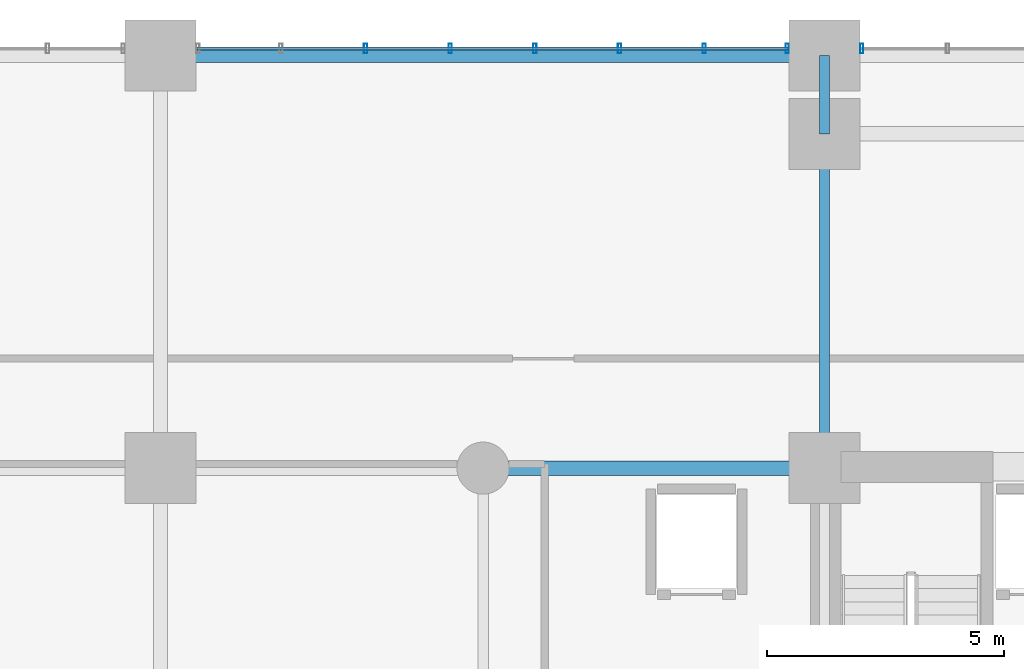
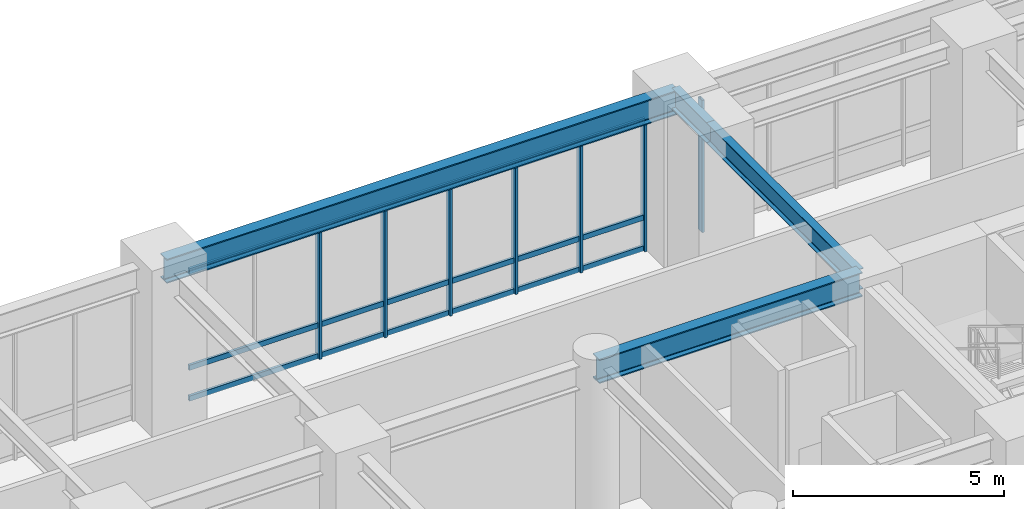
# One storey, part 3 of 22: 10 members, 4 beams, 2 elements without a shape of their own.
"""IFC4 building model written with IfcOpenShell, lengths in metres."""

from ifc_helpers import new_model, si_unit, direction, frame, origin, origin_2d, place, context, subcontext, project, spatial, hollow_rectangle, i_section, extrude, source, transform, mapped, material, layer, layer_set, material_profile, profile_set, type_object, element, aggregate, save


model = new_model("IFC4")

# Units and contexts
model_context = context("Model", 3, precision=1e-05, world=origin(), true_north=direction((0.0, 1.0)))
body_context = subcontext(model_context, "Body", "Model", "MODEL_VIEW")
ifc_project = project(units=[si_unit("LENGTHUNIT", "METRE"), si_unit("AREAUNIT", "SQUARE_METRE"), si_unit("VOLUMEUNIT", "CUBIC_METRE"), si_unit("PLANEANGLEUNIT", "RADIAN"), si_unit("MASSUNIT", "GRAM", prefix="KILO")], contexts=[model_context])

# Site, building, storey
site_placement = place(None, origin())
site = spatial("IfcSite", under=ifc_project, at=site_placement, CompositionType="ELEMENT")
building_placement = place(site_placement, origin())
building = spatial("IfcBuilding", under=site, at=building_placement, Name="Kaliganga Portal Commons", CompositionType="ELEMENT")
storey_placement = place(building_placement, frame((0.0, 0.0, 10.199951171875)))
storey = spatial("IfcBuildingStorey", under=building, at=storey_placement, Name="L02", CompositionType="ELEMENT", Elevation=10.199951171875)

# Beams
ifc_material_1 = material(Name="Structural steel S355J2", Category="steel")
ifc_material_profile_1 = material_profile(ifc_material_1, i_section(OverallWidth=0.300048828125, OverallDepth=0.699951171875, WebThickness=0.01708984375, FlangeThickness=0.031982421875, FilletRadius=0.027099609375, at=origin_2d()), Name="HE 700 B")
ifc_profile_set_1 = profile_set([ifc_material_profile_1], Name="Structural steel S355J2 wide-flange")
beam_type_1 = type_object("IfcBeamType", Name="BM-GIRD-700", PredefinedType="USERDEFINED", material=ifc_profile_set_1)
shared_shape_1 = source(origin(), body_context, "Body", "SweptSolid", [
    extrude(i_section(OverallWidth=0.300048828125, OverallDepth=0.699951171875, WebThickness=0.01708984375, FlangeThickness=0.031982421875, FilletRadius=0.027099609375, at=origin_2d()), origin(), (0.0, 0.0, 1.0), 7.199951171875),
])
beam_1_placement = place(storey_placement, frame((7.199951171875, 36.14990234375, 4.170166015625), z_axis=(1.0, 0.0, 0.0), x_axis=(0.0, 1.0, 0.0)))
element("IfcBeam", 1, at=beam_1_placement, inside=storey, type_object=beam_type_1, Name="BM G L02 WAH_N 2", ObjectType="GIRDER", PredefinedType="USERDEFINED", context=body_context, shape_type="MappedRepresentation", body=[
    mapped(shared_shape_1, transform((0.0, 0.0, 0.0), x_axis=(1.0, 0.0, 0.0), y_axis=(0.0, 1.0, 0.0), z_axis=(0.0, 0.0, 1.0), scale=1.0)),
])
ifc_material_profile_2 = material_profile(ifc_material_1, i_section(OverallWidth=0.219970703125, OverallDepth=0.60009765625, WebThickness=0.011962890625, FlangeThickness=0.01904296875, FilletRadius=0.02392578125, at=origin_2d()), Name="IPE 600")
ifc_profile_set_2 = profile_set([ifc_material_profile_2], Name="Structural steel S355J2 wide-flange")
beam_type_2 = type_object("IfcBeamType", Name="BM-FLR-600", PredefinedType="BEAM", material=ifc_profile_set_2)
shared_shape_2 = source(origin(), body_context, "Body", "SweptSolid", [
    extrude(i_section(OverallWidth=0.219970703125, OverallDepth=0.60009765625, WebThickness=0.011962890625, FlangeThickness=0.01904296875, FilletRadius=0.02392578125, at=origin_2d()), origin(), (0.0, 0.0, 1.0), 7.050048828125),
])
beam_2_placement = place(storey_placement, frame((14.39990234375, 36.14990234375, 4.219970703125), z_axis=(0.0, 1.0, 0.0), x_axis=(-1.0, 0.0, 0.0)))
element("IfcBeam", 2, at=beam_2_placement, inside=storey, type_object=beam_type_2, Name="BM G L02 AN144", PredefinedType="BEAM", context=body_context, shape_type="MappedRepresentation", body=[
    mapped(shared_shape_2, transform((0.0, 0.0, 0.0), x_axis=(1.0, 0.0, 0.0), y_axis=(0.0, 1.0, 0.0), z_axis=(0.0, 0.0, 1.0), scale=1.0)),
])
shared_shape_3 = source(origin(), body_context, "Body", "SweptSolid", [
    extrude(i_section(OverallWidth=0.300048828125, OverallDepth=0.699951171875, WebThickness=0.01708984375, FlangeThickness=0.031982421875, FilletRadius=0.027099609375, at=origin_2d()), origin(), (0.0, 0.0, 1.0), 14.0),
])
beam_3_placement = place(storey_placement, frame((0.39990234375, 44.85009765625, 4.170166015625), z_axis=(1.0, 0.0, 0.0), x_axis=(0.0, 1.0, 0.0)))
element("IfcBeam", 3, at=beam_3_placement, inside=storey, type_object=beam_type_1, Name="BM PODP L02 N44 1", ObjectType="GIRDER", PredefinedType="USERDEFINED", context=body_context, shape_type="MappedRepresentation", body=[
    mapped(shared_shape_3, transform((0.0, 0.0, 0.0), x_axis=(1.0, 0.0, 0.0), y_axis=(0.0, 1.0, 0.0), z_axis=(0.0, 0.0, 1.0), scale=1.0)),
])
shared_shape_4 = source(origin(), body_context, "Body", "SweptSolid", [
    extrude(i_section(OverallWidth=0.219970703125, OverallDepth=0.60009765625, WebThickness=0.011962890625, FlangeThickness=0.01904296875, FilletRadius=0.02392578125, at=origin_2d()), origin(), (0.0, 0.0, 1.0), 1.650146484375),
])
beam_4_placement = place(storey_placement, frame((14.39990234375, 43.199951171875, 4.219970703125), z_axis=(0.0, 1.0, 0.0), x_axis=(-1.0, 0.0, 0.0)))
element("IfcBeam", 4, at=beam_4_placement, inside=storey, type_object=beam_type_2, Name="BM PODP L02 NT14", PredefinedType="BEAM", context=body_context, shape_type="MappedRepresentation", body=[
    mapped(shared_shape_4, transform((0.0, 0.0, 0.0), x_axis=(1.0, 0.0, 0.0), y_axis=(0.0, 1.0, 0.0), z_axis=(0.0, 0.0, 1.0), scale=1.0)),
])

# Curtain wall, members
ifc_material_2 = material(Name="Anodized Aluminium and Laminated Low-E Glass", Category="aluminium")
ifc_layer = layer(ifc_material_2, 0.219970703125)
ifc_layer_set = layer_set([ifc_layer], Name="Anodized Aluminium and Laminated Low-E Glass")
curtain_wall_type = type_object("IfcCurtainWallType", Name="CW-SYS-01", PredefinedType="NOTDEFINED", material=ifc_layer_set)
curtain_wall_1_placement = place(storey_placement, origin())
curtain_wall_1 = element("IfcCurtainWall", 5, at=curtain_wall_1_placement, inside=storey, type_object=curtain_wall_type, Name="CW 01 L02 P1E02S7", PredefinedType="NOTDEFINED")
ifc_material_3 = material(Name="Dark Bronze Anodized Aluminium", Category="aluminium")
ifc_material_profile_3 = material_profile(ifc_material_3, hollow_rectangle(XDim=0.070068359375, YDim=0.14990234375, WallThickness=0.00341796875, at=origin_2d()), Name="ALU TRAN 70x150x3.5")
ifc_profile_set_3 = profile_set([ifc_material_profile_3], Name="Dark Bronze Anodized Aluminium")
member_type_1 = type_object("IfcMemberType", Name="CW-TRN-150", PredefinedType="USERDEFINED", material=ifc_profile_set_3)
shared_shape_5 = source(origin(), body_context, "Body", "SweptSolid", [
    extrude(hollow_rectangle(XDim=0.070068359375, YDim=0.14990234375, WallThickness=0.00341796875, at=origin_2d()), origin(), (0.0, 0.0, 1.0), 12.4580078125),
])
member_1_placement = place(storey_placement, frame((13.62890625, 45.0, 0.06005859375), z_axis=(-1.0, 0.0, 0.0), x_axis=(0.0, -1.0, 0.0)))
member_1 = element("IfcMember", 6, at=member_1_placement, type_object=member_type_1, Name="CW:01:L02:P1E02S7 Transom 1", ObjectType="TRANSOM", PredefinedType="USERDEFINED", context=body_context, shape_type="MappedRepresentation", body=[
    mapped(shared_shape_5, transform((0.0, 0.0, 0.0), x_axis=(1.0, 0.0, 0.0), y_axis=(0.0, 1.0, 0.0), z_axis=(0.0, 0.0, 1.0), scale=1.0)),
])
member_2_placement = place(storey_placement, frame((13.62890625, 45.0, 0.949951171875), z_axis=(-1.0, 0.0, 0.0), x_axis=(0.0, -1.0, 0.0)))
member_2 = element("IfcMember", 7, at=member_2_placement, type_object=member_type_1, Name="CW:01:L02:P1E02S7 Transom 2", ObjectType="TRANSOM", PredefinedType="USERDEFINED", context=body_context, shape_type="MappedRepresentation", body=[
    mapped(shared_shape_5, transform((0.0, 0.0, 0.0), x_axis=(1.0, 0.0, 0.0), y_axis=(0.0, 1.0, 0.0), z_axis=(0.0, 0.0, 1.0), scale=1.0)),
])
member_3_placement = place(storey_placement, frame((13.62890625, 45.0, 3.739990234375), z_axis=(-1.0, 0.0, 0.0), x_axis=(0.0, -1.0, 0.0)))
member_3 = element("IfcMember", 8, at=member_3_placement, type_object=member_type_1, Name="CW:01:L02:P1E02S7 Transom 3", ObjectType="TRANSOM", PredefinedType="USERDEFINED", context=body_context, shape_type="MappedRepresentation", body=[
    mapped(shared_shape_5, transform((0.0, 0.0, 0.0), x_axis=(1.0, 0.0, 0.0), y_axis=(0.0, 1.0, 0.0), z_axis=(0.0, 0.0, 1.0), scale=1.0)),
])

# Curtain wall, member
curtain_wall_2_placement = place(storey_placement, origin())
curtain_wall_2 = element("IfcCurtainWall", 9, at=curtain_wall_2_placement, inside=storey, type_object=curtain_wall_type, Name="CW 01 L02 P1E02S6", PredefinedType="NOTDEFINED")
ifc_material_profile_4 = material_profile(ifc_material_3, hollow_rectangle(XDim=0.070068359375, YDim=0.199951171875, WallThickness=0.00390625, at=origin_2d()), Name="ALU MULL 70x200x4")
ifc_profile_set_4 = profile_set([ifc_material_profile_4], Name="Dark Bronze Anodized Aluminium")
member_type_2 = type_object("IfcMemberType", Name="CW-MUL-220", PredefinedType="MULLION", material=ifc_profile_set_4)
shared_shape_6 = source(origin(), body_context, "Body", "SweptSolid", [
    extrude(hollow_rectangle(XDim=0.070068359375, YDim=0.199951171875, WallThickness=0.00390625, at=origin_2d()), origin(), (0.0, 0.0, 1.0), 3.820068359375),
])
member_4_placement = place(storey_placement, frame((15.18603515625, 45.0, 0.0), z_axis=(0.0, 0.0, 1.0), x_axis=(-1.0, 0.0, 0.0)))
member_4 = element("IfcMember", 10, at=member_4_placement, type_object=member_type_2, Name="CW:01:L02:P1E02S6 Mullion 07", PredefinedType="MULLION", context=body_context, shape_type="MappedRepresentation", body=[
    mapped(shared_shape_6, transform((0.0, 0.0, 0.0), x_axis=(1.0, 0.0, 0.0), y_axis=(0.0, 1.0, 0.0), z_axis=(0.0, 0.0, 1.0), scale=1.0)),
])
aggregate(curtain_wall_2, [member_4])

# Member
member_5_placement = place(storey_placement, frame((13.614013671875, 45.0, 0.0), z_axis=(0.0, 0.0, 1.0), x_axis=(-1.0, 0.0, 0.0)))
member_5 = element("IfcMember", 11, at=member_5_placement, type_object=member_type_2, Name="CW:01:L02:P1E02S7 Mullion 00", PredefinedType="MULLION", context=body_context, shape_type="MappedRepresentation", body=[
    mapped(shared_shape_6, transform((0.0, 0.0, 0.0), x_axis=(1.0, 0.0, 0.0), y_axis=(0.0, 1.0, 0.0), z_axis=(0.0, 0.0, 1.0), scale=1.0)),
])

member_6_placement = place(storey_placement, frame((11.863525390625, 45.0, 0.0), z_axis=(0.0, 0.0, 1.0), x_axis=(-1.0, 0.0, 0.0)))
member_6 = element("IfcMember", 12, at=member_6_placement, type_object=member_type_2, Name="CW:01:L02:P1E02S7 Mullion 01", PredefinedType="MULLION", context=body_context, shape_type="MappedRepresentation", body=[
    mapped(shared_shape_6, transform((0.0, 0.0, 0.0), x_axis=(1.0, 0.0, 0.0), y_axis=(0.0, 1.0, 0.0), z_axis=(0.0, 0.0, 1.0), scale=1.0)),
])

member_7_placement = place(storey_placement, frame((10.078125, 45.0, 0.0), z_axis=(0.0, 0.0, 1.0), x_axis=(-1.0, 0.0, 0.0)))
member_7 = element("IfcMember", 13, at=member_7_placement, type_object=member_type_2, Name="CW:01:L02:P1E02S7 Mullion 02", PredefinedType="MULLION", context=body_context, shape_type="MappedRepresentation", body=[
    mapped(shared_shape_6, transform((0.0, 0.0, 0.0), x_axis=(1.0, 0.0, 0.0), y_axis=(0.0, 1.0, 0.0), z_axis=(0.0, 0.0, 1.0), scale=1.0)),
])

member_8_placement = place(storey_placement, frame((8.292724609375, 45.0, 0.0), z_axis=(0.0, 0.0, 1.0), x_axis=(-1.0, 0.0, 0.0)))
member_8 = element("IfcMember", 14, at=member_8_placement, type_object=member_type_2, Name="CW:01:L02:P1E02S7 Mullion 03", PredefinedType="MULLION", context=body_context, shape_type="MappedRepresentation", body=[
    mapped(shared_shape_6, transform((0.0, 0.0, 0.0), x_axis=(1.0, 0.0, 0.0), y_axis=(0.0, 1.0, 0.0), z_axis=(0.0, 0.0, 1.0), scale=1.0)),
])

member_9_placement = place(storey_placement, frame((6.50732421875, 45.0, 0.0), z_axis=(0.0, 0.0, 1.0), x_axis=(-1.0, 0.0, 0.0)))
member_9 = element("IfcMember", 15, at=member_9_placement, type_object=member_type_2, Name="CW:01:L02:P1E02S7 Mullion 04", PredefinedType="MULLION", context=body_context, shape_type="MappedRepresentation", body=[
    mapped(shared_shape_6, transform((0.0, 0.0, 0.0), x_axis=(1.0, 0.0, 0.0), y_axis=(0.0, 1.0, 0.0), z_axis=(0.0, 0.0, 1.0), scale=1.0)),
])

member_10_placement = place(storey_placement, frame((4.721923828125, 45.0, 0.0), z_axis=(0.0, 0.0, 1.0), x_axis=(-1.0, 0.0, 0.0)))
member_10 = element("IfcMember", 16, at=member_10_placement, type_object=member_type_2, Name="CW:01:L02:P1E02S7 Mullion 05", PredefinedType="MULLION", context=body_context, shape_type="MappedRepresentation", body=[
    mapped(shared_shape_6, transform((0.0, 0.0, 0.0), x_axis=(1.0, 0.0, 0.0), y_axis=(0.0, 1.0, 0.0), z_axis=(0.0, 0.0, 1.0), scale=1.0)),
])

aggregate(curtain_wall_1, [member_5, member_6, member_7, member_8, member_9, member_10, member_1, member_2, member_3])

save(model, "model.ifc")
